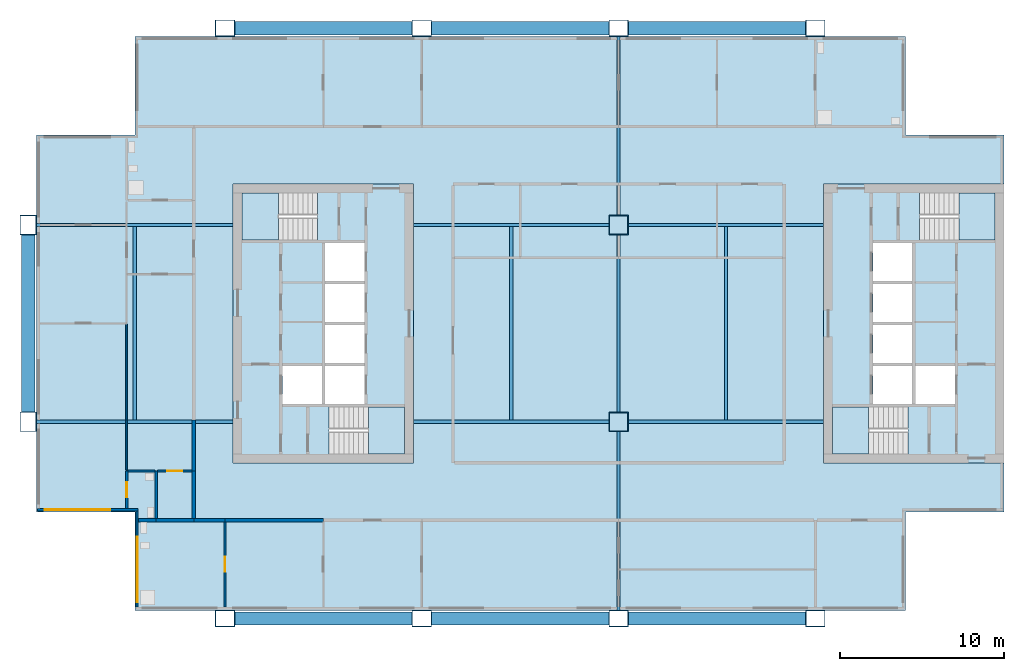
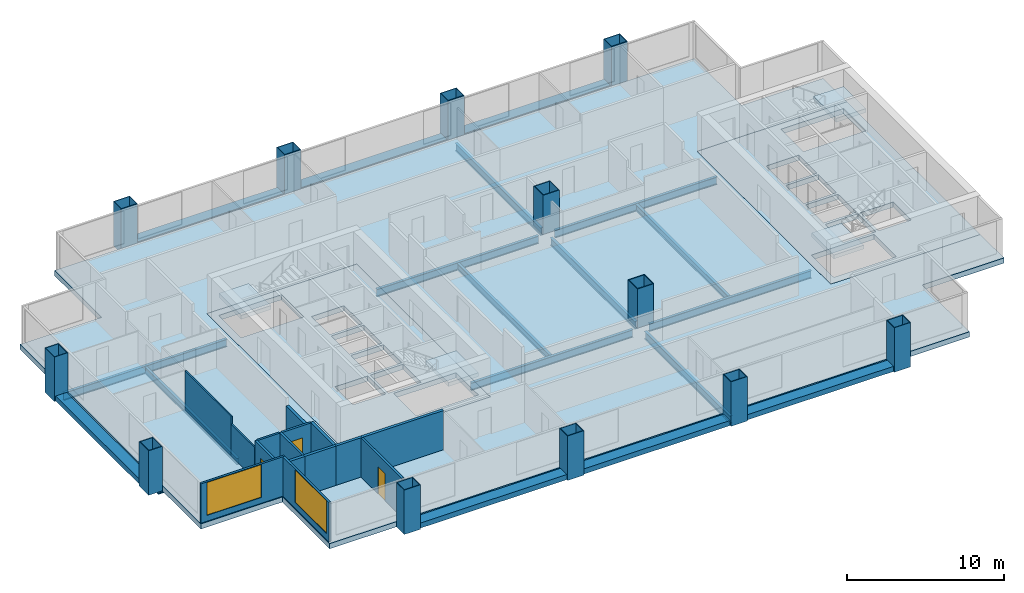
# One storey, part 1 of 8: 19 beams, 15 walls, 12 columns, 7 slabs, 3 doors, 2 windows, 5 openings, 4 elements without a shape of their own.
"""IFC4 building model written with IfcOpenShell, lengths in metres."""

import ifcopenshell
import ifcopenshell.guid

model = None  # the IFC model being written
_history = None  # IfcOwnerHistory: only IFC2X3 demands one
_inside = {}  # id of a spatial element -> (the spatial element, [elements in it])
_under = {}  # id of a project, library or spatial element -> (it, [spatial elements below it])
_declared = {}  # id of a project -> (the project, [libraries it declares])
_typed = {}  # id of a type object -> (the type object, [elements of that type])
_made_of = {}  # id of a material, layer set ... -> (it, [elements and type objects made of it])


def new_model(schema):
    """Start an empty IFC model of exactly this schema.

    Asked for "IFC4X3", IfcOpenShell would pick the latest addendum, in which some entities
    have other attributes; the version numbers below select the first issue.
    IFC2X3 requires an IfcOwnerHistory on every rooted entity: one is made here for all.
    """
    global model, _history
    if schema == "IFC4X3":
        model = ifcopenshell.file(schema_version=(4, 3, 0, 0))
    else:
        model = ifcopenshell.file(schema=schema)
    _inside.clear()
    _under.clear()
    _declared.clear()
    _typed.clear()
    _made_of.clear()
    _history = None
    if model.schema == "IFC2X3":
        org = make("IfcOrganization", Name="unknown")
        user = make(
            "IfcPersonAndOrganization",
            ThePerson=make("IfcPerson", FamilyName="unknown"),
            TheOrganization=org,
        )
        app = make(
            "IfcApplication",
            ApplicationDeveloper=org,
            Version="unknown",
            ApplicationFullName="unknown",
            ApplicationIdentifier="unknown",
        )
        _history = make(
            "IfcOwnerHistory",
            OwningUser=user,
            OwningApplication=app,
            ChangeAction="ADDED",
            CreationDate=0,
        )
    return model


def make(cls, **values):
    """One entity of the class cls with the attributes given. An attribute that is None is left unset."""
    return model.create_entity(
        cls, **{name: value for name, value in values.items() if value is not None}
    )


def rooted(cls, **values):
    """An entity with a GlobalId (a new one), such as an element, a storey or a relation."""
    return make(cls, GlobalId=ifcopenshell.guid.new(), OwnerHistory=_history, **values)


def si_unit(unit_type, name, prefix=None):
    """IfcSIUnit, for example si_unit("LENGTHUNIT", "METRE", prefix="MILLI")."""
    return make("IfcSIUnit", UnitType=unit_type, Prefix=prefix, Name=name)


def assignment(units):
    """IfcUnitAssignment: the units of a project."""
    return None if units is None else make("IfcUnitAssignment", Units=units)


def point(xyz):
    """IfcCartesianPoint."""
    return None if xyz is None else make("IfcCartesianPoint", Coordinates=xyz)


def direction(xyz):
    """IfcDirection."""
    return None if xyz is None else make("IfcDirection", DirectionRatios=xyz)


def frame(location, z_axis=None, x_axis=None):
    """IfcAxis2Placement3D, a coordinate frame: its origin and axes. An axis left out is left unset."""
    return make(
        "IfcAxis2Placement3D",
        Location=point(location),
        Axis=direction(z_axis),
        RefDirection=direction(x_axis),
    )


def frame_2d(location, x_axis=None):
    """IfcAxis2Placement2D, a coordinate frame in the plane: its origin and x axis."""
    return make(
        "IfcAxis2Placement2D", Location=point(location), RefDirection=direction(x_axis)
    )


def origin():
    """The frame at (0, 0, 0) with its axes left unset."""
    return frame((0.0, 0.0, 0.0))


def origin_2d():
    """The frame at (0, 0) in the plane with its x axis left unset."""
    return frame_2d((0.0, 0.0))


def place(relative_to, where):
    """IfcLocalPlacement: puts the frame where relative to a parent placement (None: the world)."""
    return make(
        "IfcLocalPlacement", PlacementRelTo=relative_to, RelativePlacement=where
    )


def context(
    kind, dimensions, precision=None, world=None, true_north=None, identifier=None
):
    """IfcGeometricRepresentationContext, for example the 3D "Model" context."""
    return make(
        "IfcGeometricRepresentationContext",
        ContextIdentifier=identifier,
        ContextType=kind,
        CoordinateSpaceDimension=dimensions,
        Precision=precision,
        WorldCoordinateSystem=world,
        TrueNorth=true_north,
    )


def subcontext(parent, identifier, kind, view, scale=None):
    """IfcGeometricRepresentationSubContext, for example "Body" below "Model"."""
    return make(
        "IfcGeometricRepresentationSubContext",
        ContextIdentifier=identifier,
        ContextType=kind,
        ParentContext=parent,
        TargetScale=scale,
        TargetView=view,
    )


def project(units=None, contexts=None):
    """IfcProject with its units and contexts."""
    return rooted(
        "IfcProject",
        Name="project",
        RepresentationContexts=contexts,
        UnitsInContext=assignment(units),
    )


def spatial(cls, under=None, at=None, **own):
    """A site, building, storey or space (cls), placed at a placement, below another one or the project."""
    s = rooted(cls, ObjectPlacement=at, **own)
    if under is not None:
        _under.setdefault(under.id(), (under, []))[1].append(s)
    return s


def polyline(points):
    """IfcPolyline through the points."""
    return make("IfcPolyline", Points=[point(p) for p in points])


def profile(cls, at=None, kind="AREA", **sizes):
    """A parametric profile (cls). Its sizes go by their IFC names, for example OverallWidth=200.0."""
    return make(cls, ProfileType=kind, Position=at, **sizes)


def rectangle(**sizes):
    """IfcRectangleProfileDef."""
    return profile("IfcRectangleProfileDef", **sizes)


def hollow_rectangle(**sizes):
    """IfcRectangleHollowProfileDef."""
    return profile("IfcRectangleHollowProfileDef", **sizes)


def i_section(**sizes):
    """IfcIShapeProfileDef."""
    return profile("IfcIShapeProfileDef", **sizes)


def outline(outer, holes=None, kind="AREA"):
    """IfcArbitraryClosedProfileDef: a profile drawn as a closed curve; with holes, ...WithVoids."""
    if holes is None:
        return make("IfcArbitraryClosedProfileDef", ProfileType=kind, OuterCurve=outer)
    return make(
        "IfcArbitraryProfileDefWithVoids",
        ProfileType=kind,
        OuterCurve=outer,
        InnerCurves=holes,
    )


def extrude(swept, where, along, depth):
    """IfcExtrudedAreaSolid: the profile swept, set in the frame where, extruded along a direction by depth."""
    return make(
        "IfcExtrudedAreaSolid",
        SweptArea=swept,
        Position=where,
        ExtrudedDirection=direction(along),
        Depth=depth,
    )


def shape(context_of_items, identifier, shape_type, items):
    """IfcShapeRepresentation: the items that make up one representation, for example the "Body"."""
    return make(
        "IfcShapeRepresentation",
        ContextOfItems=context_of_items,
        RepresentationIdentifier=identifier,
        RepresentationType=shape_type,
        Items=items,
    )


def material(Name=None, Category=None):
    """IfcMaterial."""
    return make("IfcMaterial", Name=Name, Category=Category)


def layer(
    of_material, thickness, ventilated=None, Name=None, Category=None, Priority=None
):
    """IfcMaterialLayer: one layer of a wall or slab, of a material (None: an air gap)."""
    return make(
        "IfcMaterialLayer",
        Material=of_material,
        LayerThickness=thickness,
        IsVentilated=ventilated,
        Name=Name,
        Category=Category,
        Priority=Priority,
    )


def layer_set(layers, Name=None):
    """IfcMaterialLayerSet."""
    return make("IfcMaterialLayerSet", MaterialLayers=layers, LayerSetName=Name)


def material_profile(
    of_material, cross_section, Name=None, Category=None, Priority=None
):
    """IfcMaterialProfile: a cross section and its material."""
    return make(
        "IfcMaterialProfile",
        Name=Name,
        Material=of_material,
        Profile=cross_section,
        Priority=Priority,
        Category=Category,
    )


def profile_set(profiles, Name=None, composite=None):
    """IfcMaterialProfileSet."""
    return make(
        "IfcMaterialProfileSet",
        Name=Name,
        MaterialProfiles=profiles,
        CompositeProfile=composite,
    )


def made_of(thing, what):
    """Note that an element or type object is made of a material, layer set ...; save() writes the relation."""
    if what is not None:
        _made_of.setdefault(what.id(), (what, []))[1].append(thing)
    return thing


def type_object(cls, material=None, **own):
    """A type object (cls), such as IfcWallType, which elements share."""
    return made_of(rooted(cls, **own), material)


def element(
    cls,
    number,
    at=None,
    inside=None,
    cuts=None,
    type_object=None,
    material=None,
    context=None,
    identifier="Body",
    shape_type=None,
    held_by="IfcProductDefinitionShape",
    body=None,
    shapes=None,
    **own,
):
    """One element of the class cls, such as IfcWall. Its Tag is "e" and its number.

    at: its placement. inside: the storey or other place that contains it. cuts: it is an
    opening in that element (IfcRelVoidsElement). A single representation is given by context,
    identifier, shape_type and body (its items); several are given by shapes. held_by: the class
    of the entity that holds the representations. save() writes the other relations.
    """
    e = rooted(cls, Tag="e%d" % number, ObjectPlacement=at, **own)
    if body is not None:
        shapes = [shape(context, identifier, shape_type, body)]
    if shapes is not None:
        e.Representation = make(held_by, Representations=shapes)
    if inside is not None:
        _inside.setdefault(inside.id(), (inside, []))[1].append(e)
    if cuts is not None:
        rooted(
            "IfcRelVoidsElement", RelatingBuildingElement=cuts, RelatedOpeningElement=e
        )
    if type_object is not None:
        _typed.setdefault(type_object.id(), (type_object, []))[1].append(e)
    return made_of(e, material)


def fill(opening, filler):
    """IfcRelFillsElement: the door or window that sits in an opening."""
    return rooted(
        "IfcRelFillsElement",
        RelatingOpeningElement=opening,
        RelatedBuildingElement=filler,
    )


def aggregate(whole, parts):
    """IfcRelAggregates: a whole, such as a stair, and the parts it consists of."""
    return rooted("IfcRelAggregates", RelatingObject=whole, RelatedObjects=parts)


def save(model, path):
    """Write the relations noted so far, then the file.

    IfcRelAggregates (storeys below a building ...), IfcRelContainedInSpatialStructure (elements
    in a storey), IfcRelDefinesByType, IfcRelAssociatesMaterial and IfcRelDeclares: one each for
    every whole, place, type object, material and project.
    """
    for whole, parts in _under.values():
        aggregate(whole, parts)
    for where, things in _inside.values():
        rooted(
            "IfcRelContainedInSpatialStructure",
            RelatedElements=things,
            RelatingStructure=where,
        )
    for kind, things in _typed.values():
        rooted("IfcRelDefinesByType", RelatedObjects=things, RelatingType=kind)
    for what, things in _made_of.values():
        rooted("IfcRelAssociatesMaterial", RelatedObjects=things, RelatingMaterial=what)
    for by, libraries in _declared.values():
        rooted("IfcRelDeclares", RelatingContext=by, RelatedDefinitions=libraries)
    model.write(path)


model = new_model("IFC4")

# Units and contexts
model_context = context("Model", 3, precision=1e-05, world=origin(), true_north=direction((0.0, 1.0)))
body_context = subcontext(model_context, "Body", "Model", "MODEL_VIEW")
ifc_project = project(units=[si_unit("LENGTHUNIT", "METRE"), si_unit("AREAUNIT", "SQUARE_METRE"), si_unit("VOLUMEUNIT", "CUBIC_METRE"), si_unit("PLANEANGLEUNIT", "RADIAN"), si_unit("MASSUNIT", "GRAM", prefix="KILO")], contexts=[model_context])

# Site, building, storey
site_placement = place(None, origin())
site = spatial("IfcSite", under=ifc_project, at=site_placement, CompositionType="ELEMENT")
building_placement = place(site_placement, origin())
building = spatial("IfcBuilding", under=site, at=building_placement, Name="Kitamizu Gate Tower and Museum", CompositionType="ELEMENT")
storey_placement = place(building_placement, frame((0.0, 0.0, 199.64990234375)))
storey = spatial("IfcBuildingStorey", under=building, at=storey_placement, Name="L53", CompositionType="ELEMENT", Elevation=199.64990234375)

# Columns
ifc_material_1 = material(Name="Steel SM490A bronze coated", Category="steel")
ifc_material_profile_1 = material_profile(ifc_material_1, hollow_rectangle(XDim=1.199951171875, YDim=1.0, WallThickness=0.044921875, at=origin_2d()), Name="BOX 1200x1000x45")
ifc_profile_set_1 = profile_set([ifc_material_profile_1], Name="Steel SM490A bronze coated")
column_type_1 = type_object("IfcColumnType", Name="Exoskeleton column XC7 BOX 1200x1000x45", PredefinedType="COLUMN", material=ifc_profile_set_1)
for number, where, z_axis, x_axis, name in (
    (1, (0.0, 24.0, -0.39990234375), (0.0, 0.0, 1.0), (0.0, 1.0, 0.0), "Column XC7 1C L53"),
    (2, (0.0, 36.0, -0.39990234375), (0.0, 0.0, 1.0), (0.0, 1.0, 0.0), "Column XC7 1D L53"),
    (3, (12.0, 12.0, -0.39990234375), (0.0, 0.0, 1.0), (1.0, 0.0, 0.0), "Column XC7 2B L53"),
    (4, (12.0, 48.0, -0.39990234375), (0.0, 0.0, 1.0), (1.0, 0.0, 0.0), "Column XC7 2E L53"),
    (5, (24.0, 12.0, -0.39990234375), (0.0, 0.0, 1.0), (1.0, 0.0, 0.0), "Column XC7 3B L53"),
    (6, (24.0, 48.0, -0.39990234375), (0.0, 0.0, 1.0), (1.0, 0.0, 0.0), "Column XC7 3E L53"),
    (7, (36.0, 12.0, -0.39990234375), (0.0, 0.0, 1.0), (1.0, 0.0, 0.0), "Column XC7 4B L53"),
    (8, (36.0, 48.0, -0.39990234375), (0.0, 0.0, 1.0), (1.0, 0.0, 0.0), "Column XC7 4E L53"),
    (9, (48.0, 12.0, -0.39990234375), (0.0, 0.0, 1.0), (1.0, 0.0, 0.0), "Column XC7 5B L53"),
    (10, (48.0, 48.0, -0.39990234375), (0.0, 0.0, 1.0), (1.0, 0.0, 0.0), "Column XC7 5E L53"),
):
    element("IfcColumn", number, at=place(storey_placement, frame(where, z_axis=z_axis, x_axis=x_axis)), inside=storey, type_object=column_type_1, Name=name, PredefinedType="COLUMN", context=body_context, shape_type="SweptSolid", body=[
        extrude(hollow_rectangle(XDim=1.199951171875, YDim=1.0, WallThickness=0.044921875, at=origin_2d()), origin(), (0.0, 0.0, 1.0), 3.449951171875),
    ])
ifc_material_2 = material(Name="Steel SM490A", Category="steel")
ifc_material_profile_2 = material_profile(ifc_material_2, hollow_rectangle(XDim=1.199951171875, YDim=1.199951171875, WallThickness=0.050048828125, at=origin_2d()), Name="BOX 1200x1200x50")
ifc_profile_set_2 = profile_set([ifc_material_profile_2], Name="Steel SM490A")
column_type_2 = type_object("IfcColumnType", Name="Interior column IC4 BOX 1200x1200x50", PredefinedType="COLUMN", material=ifc_profile_set_2)
for number, where, z_axis, x_axis, name in (
    (11, (36.0, 24.0, 0.0), (0.0, 0.0, 1.0), (1.0, 0.0, 0.0), "Column IC4 4C L53"),
    (12, (36.0, 36.0, 0.0), (0.0, 0.0, 1.0), (1.0, 0.0, 0.0), "Column IC4 4D L53"),
):
    element("IfcColumn", number, at=place(storey_placement, frame(where, z_axis=z_axis, x_axis=x_axis)), inside=storey, type_object=column_type_2, Name=name, PredefinedType="COLUMN", context=body_context, shape_type="SweptSolid", body=[
        extrude(hollow_rectangle(XDim=1.199951171875, YDim=1.199951171875, WallThickness=0.050048828125, at=origin_2d()), origin(), (0.0, 0.0, 1.0), 3.050048828125),
    ])

# Beams
ifc_material_3 = material(Name="Steel SM490A bronze coated", Category="steel")
ifc_material_profile_3 = material_profile(ifc_material_3, hollow_rectangle(XDim=0.800048828125, YDim=0.39990234375, WallThickness=0.0400390625, at=origin_2d()), Name="BOX 800x400x40")
ifc_profile_set_3 = profile_set([ifc_material_profile_3], Name="Steel SM490A bronze coated")
beam_type_1 = type_object("IfcBeamType", Name="Exoskeleton spandrel beam SB1 BOX 800x400x40", PredefinedType="SPANDREL", material=ifc_profile_set_3)
for number, where, z_axis, x_axis, name in (
    (13, (12.60009765625, 12.0, -0.199951171875), (1.0, 0.0, 0.0), (0.0, 1.0, 0.0), "Exoskeleton spandrel beam south 12 L53"),
    (14, (24.60009765625, 12.0, -0.199951171875), (1.0, 0.0, 0.0), (0.0, 1.0, 0.0), "Exoskeleton spandrel beam south 24 L53"),
    (15, (36.60009765625, 12.0, -0.199951171875), (1.0, 0.0, 0.0), (0.0, 1.0, 0.0), "Exoskeleton spandrel beam south 36 L53"),
    (16, (12.60009765625, 48.0, -0.199951171875), (1.0, 0.0, 0.0), (0.0, 1.0, 0.0), "Exoskeleton spandrel beam north 12 L53"),
    (17, (24.60009765625, 48.0, -0.199951171875), (1.0, 0.0, 0.0), (0.0, 1.0, 0.0), "Exoskeleton spandrel beam north 24 L53"),
    (18, (36.60009765625, 48.0, -0.199951171875), (1.0, 0.0, 0.0), (0.0, 1.0, 0.0), "Exoskeleton spandrel beam north 36 L53"),
    (19, (0.0, 24.60009765625, -0.199951171875), (0.0, 1.0, 0.0), (-1.0, 0.0, 0.0), "Exoskeleton spandrel beam west 24 L53"),
):
    element("IfcBeam", number, at=place(storey_placement, frame(where, z_axis=z_axis, x_axis=x_axis)), inside=storey, type_object=beam_type_1, Name=name, PredefinedType="SPANDREL", context=body_context, shape_type="SweptSolid", body=[
        extrude(hollow_rectangle(XDim=0.800048828125, YDim=0.39990234375, WallThickness=0.0400390625, at=origin_2d()), origin(), (0.0, 0.0, 1.0), 10.7998046875),
    ])
ifc_material_4 = material(Name="Steel SM490A", Category="steel")
ifc_material_profile_4 = material_profile(ifc_material_4, i_section(OverallWidth=0.199951171875, OverallDepth=0.5, WebThickness=0.010009765625, FlangeThickness=0.01611328125, FilletRadius=0.02001953125, at=origin_2d()), Name="H-500x200x10x16")
ifc_profile_set_4 = profile_set([ifc_material_profile_4], Name="Steel SM490A")
beam_type_2 = type_object("IfcBeamType", Name="Floor beam FB1 H 500x200x10x16", PredefinedType="BEAM", material=ifc_profile_set_4)
for number, where, z_axis, x_axis, name in (
    (20, (6.5, 24.10009765625, -0.64990234375), (0.0, 1.0, 0.0), (-1.0, 0.0, 0.0), "Floor beam FB1 L53-1"),
    (21, (29.449951171875, 24.10009765625, -0.64990234375), (0.0, 1.0, 0.0), (-1.0, 0.0, 0.0), "Floor beam FB1 L53-2"),
    (22, (42.550048828125, 24.10009765625, -0.64990234375), (0.0, 1.0, 0.0), (-1.0, 0.0, 0.0), "Floor beam FB1 L53-3"),
):
    element("IfcBeam", number, at=place(storey_placement, frame(where, z_axis=z_axis, x_axis=x_axis)), inside=storey, type_object=beam_type_2, Name=name, PredefinedType="BEAM", context=body_context, shape_type="SweptSolid", body=[
        extrude(i_section(OverallWidth=0.199951171875, OverallDepth=0.5, WebThickness=0.010009765625, FlangeThickness=0.01611328125, FilletRadius=0.02001953125, at=origin_2d()), origin(), (0.0, 0.0, 1.0), 11.7998046875),
    ])
ifc_material_5 = material(Name="Steel SM490A", Category="steel")
ifc_material_profile_5 = material_profile(ifc_material_5, i_section(OverallWidth=0.199951171875, OverallDepth=0.60009765625, WebThickness=0.010986328125, FlangeThickness=0.01708984375, FilletRadius=0.02197265625, at=origin_2d()), Name="H-600x200x11x17")
ifc_profile_set_5 = profile_set([ifc_material_profile_5], Name="Steel SM490A")
beam_type_3 = type_object("IfcBeamType", Name="Floor girder FG1 H 600x200x11x17", PredefinedType="BEAM", material=ifc_profile_set_5)
beam_1_placement = place(storey_placement, frame((36.0, 12.5, -0.699951171875), z_axis=(0.0, 1.0, 0.0), x_axis=(-1.0, 0.0, 0.0)))
element("IfcBeam", 23, at=beam_1_placement, inside=storey, type_object=beam_type_3, Name="Floor girder FG1 x36 L53", PredefinedType="BEAM", context=body_context, shape_type="SweptSolid", body=[
    extrude(i_section(OverallWidth=0.199951171875, OverallDepth=0.60009765625, WebThickness=0.010986328125, FlangeThickness=0.01708984375, FilletRadius=0.02197265625, at=origin_2d()), origin(), (0.0, 0.0, 1.0), 10.89990234375),
])
beam_2_placement = place(storey_placement, frame((36.0, 24.60009765625, -0.699951171875), z_axis=(0.0, 1.0, 0.0), x_axis=(-1.0, 0.0, 0.0)))
element("IfcBeam", 24, at=beam_2_placement, inside=storey, type_object=beam_type_3, Name="Floor girder FG1 x36 L53", PredefinedType="BEAM", context=body_context, shape_type="SweptSolid", body=[
    extrude(i_section(OverallWidth=0.199951171875, OverallDepth=0.60009765625, WebThickness=0.010986328125, FlangeThickness=0.01708984375, FilletRadius=0.02197265625, at=origin_2d()), origin(), (0.0, 0.0, 1.0), 10.7998046875),
])
beam_3_placement = place(storey_placement, frame((36.0, 36.60009765625, -0.699951171875), z_axis=(0.0, 1.0, 0.0), x_axis=(-1.0, 0.0, 0.0)))
element("IfcBeam", 25, at=beam_3_placement, inside=storey, type_object=beam_type_3, Name="Floor girder FG1 x36 L53", PredefinedType="BEAM", context=body_context, shape_type="SweptSolid", body=[
    extrude(i_section(OverallWidth=0.199951171875, OverallDepth=0.60009765625, WebThickness=0.010986328125, FlangeThickness=0.01708984375, FilletRadius=0.02197265625, at=origin_2d()), origin(), (0.0, 0.0, 1.0), 10.89990234375),
])
beam_4_placement = place(storey_placement, frame((0.5, 24.0, -0.699951171875), z_axis=(1.0, 0.0, 0.0), x_axis=(0.0, 1.0, 0.0)))
element("IfcBeam", 26, at=beam_4_placement, inside=storey, type_object=beam_type_3, Name="Floor girder FG1 y24 L53", PredefinedType="BEAM", context=body_context, shape_type="SweptSolid", body=[
    extrude(i_section(OverallWidth=0.199951171875, OverallDepth=0.60009765625, WebThickness=0.010986328125, FlangeThickness=0.01708984375, FilletRadius=0.02197265625, at=origin_2d()), origin(), (0.0, 0.0, 1.0), 12.0),
])
for number, where, z_axis, x_axis, name in (
    (27, (23.5, 24.0, -0.699951171875), (1.0, 0.0, 0.0), (0.0, 1.0, 0.0), "Floor girder FG1 y24 L53"),
    (28, (36.60009765625, 24.0, -0.699951171875), (1.0, 0.0, 0.0), (0.0, 1.0, 0.0), "Floor girder FG1 y24 L53"),
):
    element("IfcBeam", number, at=place(storey_placement, frame(where, z_axis=z_axis, x_axis=x_axis)), inside=storey, type_object=beam_type_3, Name=name, PredefinedType="BEAM", context=body_context, shape_type="SweptSolid", body=[
        extrude(i_section(OverallWidth=0.199951171875, OverallDepth=0.60009765625, WebThickness=0.010986328125, FlangeThickness=0.01708984375, FilletRadius=0.02197265625, at=origin_2d()), origin(), (0.0, 0.0, 1.0), 11.89990234375),
    ])
beam_5_placement = place(storey_placement, frame((0.5, 36.0, -0.699951171875), z_axis=(1.0, 0.0, 0.0), x_axis=(0.0, 1.0, 0.0)))
element("IfcBeam", 29, at=beam_5_placement, inside=storey, type_object=beam_type_3, Name="Floor girder FG1 y36 L53", PredefinedType="BEAM", context=body_context, shape_type="SweptSolid", body=[
    extrude(i_section(OverallWidth=0.199951171875, OverallDepth=0.60009765625, WebThickness=0.010986328125, FlangeThickness=0.01708984375, FilletRadius=0.02197265625, at=origin_2d()), origin(), (0.0, 0.0, 1.0), 12.0),
])
for number, where, z_axis, x_axis, name in (
    (30, (23.5, 36.0, -0.699951171875), (1.0, 0.0, 0.0), (0.0, 1.0, 0.0), "Floor girder FG1 y36 L53"),
    (31, (36.60009765625, 36.0, -0.699951171875), (1.0, 0.0, 0.0), (0.0, 1.0, 0.0), "Floor girder FG1 y36 L53"),
):
    element("IfcBeam", number, at=place(storey_placement, frame(where, z_axis=z_axis, x_axis=x_axis)), inside=storey, type_object=beam_type_3, Name=name, PredefinedType="BEAM", context=body_context, shape_type="SweptSolid", body=[
        extrude(i_section(OverallWidth=0.199951171875, OverallDepth=0.60009765625, WebThickness=0.010986328125, FlangeThickness=0.01708984375, FilletRadius=0.02197265625, at=origin_2d()), origin(), (0.0, 0.0, 1.0), 11.89990234375),
    ])

# Slabs
ifc_material_6 = material(Name="Concrete Fc36", Category="concrete")
ifc_layer_1 = layer(ifc_material_6, 0.39990234375)
ifc_layer_set_1 = layer_set([ifc_layer_1], Name="Concrete Fc36")
slab_type_1 = type_object("IfcSlabType", Name="Core floor slab 400", PredefinedType="FLOOR", material=ifc_layer_set_1)
slab_1_placement = place(storey_placement, frame((0.0, 0.0, -0.39990234375)))
element("IfcSlab", 32, at=slab_1_placement, inside=storey, type_object=slab_type_1, Name="Core floor slab W", PredefinedType="FLOOR", context=body_context, shape_type="SweptSolid", body=[
    extrude(outline(polyline([(12.5, 21.5), (23.5, 21.5), (23.5, 38.5), (12.5, 38.5), (12.5, 21.5)]), holes=[polyline([(15.5, 25.10009765625), (17.89990234375, 25.10009765625), (17.89990234375, 27.39990234375), (15.5, 27.39990234375), (15.5, 25.10009765625)]), polyline([(18.10009765625, 25.10009765625), (20.5, 25.10009765625), (20.5, 27.39990234375), (18.10009765625, 27.39990234375), (18.10009765625, 25.10009765625)]), polyline([(18.10009765625, 27.60009765625), (20.5, 27.60009765625), (20.5, 29.89990234375), (18.10009765625, 29.89990234375), (18.10009765625, 27.60009765625)]), polyline([(18.10009765625, 30.10009765625), (20.5, 30.10009765625), (20.5, 32.39990234375), (18.10009765625, 32.39990234375), (18.10009765625, 30.10009765625)]), polyline([(18.10009765625, 32.60009765625), (20.5, 32.60009765625), (20.5, 34.89990234375), (18.10009765625, 34.89990234375), (18.10009765625, 32.60009765625)]), polyline([(18.3505859375, 22.050048828125), (22.949951171875, 22.050048828125), (22.949951171875, 24.89990234375), (18.3505859375, 24.89990234375), (18.3505859375, 22.050048828125)]), polyline([(13.050048828125, 35.10009765625), (17.6494140625, 35.10009765625), (17.6494140625, 37.949951171875), (13.050048828125, 37.949951171875), (13.050048828125, 35.10009765625)])]), origin(), (0.0, 0.0, 1.0), 0.39990234375),
])
slab_2_placement = place(storey_placement, frame((0.0, 0.0, -0.39990234375)))
element("IfcSlab", 33, at=slab_2_placement, inside=storey, type_object=slab_type_1, Name="Core floor slab E", PredefinedType="FLOOR", context=body_context, shape_type="SweptSolid", body=[
    extrude(outline(polyline([(48.5, 21.5), (59.5, 21.5), (59.5, 38.5), (48.5, 38.5), (48.5, 21.5)]), holes=[polyline([(54.10009765625, 25.10009765625), (56.5, 25.10009765625), (56.5, 27.39990234375), (54.10009765625, 27.39990234375), (54.10009765625, 25.10009765625)]), polyline([(51.5, 25.10009765625), (53.89990234375, 25.10009765625), (53.89990234375, 27.39990234375), (51.5, 27.39990234375), (51.5, 25.10009765625)]), polyline([(51.5, 27.60009765625), (53.89990234375, 27.60009765625), (53.89990234375, 29.89990234375), (51.5, 29.89990234375), (51.5, 27.60009765625)]), polyline([(51.5, 30.10009765625), (53.89990234375, 30.10009765625), (53.89990234375, 32.39990234375), (51.5, 32.39990234375), (51.5, 30.10009765625)]), polyline([(51.5, 32.60009765625), (53.89990234375, 32.60009765625), (53.89990234375, 34.89990234375), (51.5, 34.89990234375), (51.5, 32.60009765625)]), polyline([(49.050048828125, 22.050048828125), (53.6494140625, 22.050048828125), (53.6494140625, 24.89990234375), (49.050048828125, 24.89990234375), (49.050048828125, 22.050048828125)]), polyline([(54.3505859375, 35.10009765625), (58.949951171875, 35.10009765625), (58.949951171875, 37.949951171875), (54.3505859375, 37.949951171875), (54.3505859375, 35.10009765625)])]), origin(), (0.0, 0.0, 1.0), 0.39990234375),
])
ifc_material_7 = material(Name="Concrete Fc36", Category="concrete")
ifc_layer_2 = layer(ifc_material_7, 0.39990234375)
ifc_layer_set_2 = layer_set([ifc_layer_2], Name="Concrete Fc36")
slab_type_2 = type_object("IfcSlabType", Name="Post tensioned flat slab 400", PredefinedType="FLOOR", material=ifc_layer_set_2)
slab_3_placement = place(storey_placement, frame((0.0, 0.0, -0.39990234375)))
element("IfcSlab", 34, at=slab_3_placement, inside=storey, type_object=slab_type_2, Name="Floor slab L53-1", PredefinedType="FLOOR", context=body_context, shape_type="SweptSolid", body=[
    extrude(outline(polyline([(0.5, 18.5), (0.5, 41.5), (6.5, 41.5), (6.5, 47.5), (53.5, 47.5), (53.5, 41.5), (59.5, 41.5), (59.5, 38.5), (48.5, 38.5), (48.5, 21.5), (59.5, 21.5), (59.5, 18.5), (53.5, 18.5), (53.5, 12.5), (6.5, 12.5), (6.5, 18.5), (0.5, 18.5)]), holes=[polyline([(12.5, 38.5), (12.5, 21.5), (23.5, 21.5), (23.5, 38.5), (12.5, 38.5)])]), origin(), (0.0, 0.0, 1.0), 0.39990234375),
])

# Stair, slab
ifc_material_8 = material(Name="Concrete Fc42", Category="concrete")
stair_type = type_object("IfcStairType", Name="Exit stair 1325 wide 192 rise 300 going", PredefinedType="HALF_TURN_STAIR", material=ifc_material_8)
stair_1_placement = place(storey_placement, origin())
stair_1 = element("IfcStair", 35, at=stair_1_placement, inside=storey, type_object=stair_type, Name="Exit stair ST1", PredefinedType="HALF_TURN_STAIR")
ifc_material_9 = material(Name="Concrete Fc42", Category="concrete")
ifc_layer_3 = layer(ifc_material_9, 0.300048828125)
ifc_layer_set_3 = layer_set([ifc_layer_3], Name="Concrete Fc42")
slab_type_3 = type_object("IfcSlabType", Name="Stair landing 300", PredefinedType="LANDING", material=ifc_layer_set_3)
slab_4_placement = place(storey_placement, frame((0.0, 0.0, 1.425048828125)))
slab_4 = element("IfcSlab", 36, at=slab_4_placement, type_object=slab_type_3, Name="ST1 landing 1", PredefinedType="LANDING", context=body_context, shape_type="SweptSolid", body=[
    extrude(outline(polyline([(20.75, 22.050048828125), (22.949951171875, 22.050048828125), (22.949951171875, 24.89990234375), (20.75, 24.89990234375), (20.75, 22.050048828125)])), origin(), (0.0, 0.0, 1.0), 0.300048828125),
])
aggregate(stair_1, [slab_4])

stair_2_placement = place(storey_placement, origin())
stair_2 = element("IfcStair", 37, at=stair_2_placement, inside=storey, type_object=stair_type, Name="Exit stair ST2", PredefinedType="HALF_TURN_STAIR")
slab_5_placement = place(storey_placement, frame((0.0, 0.0, 1.425048828125)))
slab_5 = element("IfcSlab", 38, at=slab_5_placement, type_object=slab_type_3, Name="ST2 landing 1", PredefinedType="LANDING", context=body_context, shape_type="SweptSolid", body=[
    extrude(outline(polyline([(13.050048828125, 35.10009765625), (15.25, 35.10009765625), (15.25, 37.949951171875), (13.050048828125, 37.949951171875), (13.050048828125, 35.10009765625)])), origin(), (0.0, 0.0, 1.0), 0.300048828125),
])
aggregate(stair_2, [slab_5])

stair_3_placement = place(storey_placement, origin())
stair_3 = element("IfcStair", 39, at=stair_3_placement, inside=storey, type_object=stair_type, Name="Exit stair ST3", PredefinedType="HALF_TURN_STAIR")
slab_6_placement = place(storey_placement, frame((0.0, 0.0, 1.425048828125)))
slab_6 = element("IfcSlab", 40, at=slab_6_placement, type_object=slab_type_3, Name="ST3 landing 1", PredefinedType="LANDING", context=body_context, shape_type="SweptSolid", body=[
    extrude(outline(polyline([(49.050048828125, 22.050048828125), (51.25, 22.050048828125), (51.25, 24.89990234375), (49.050048828125, 24.89990234375), (49.050048828125, 22.050048828125)])), origin(), (0.0, 0.0, 1.0), 0.300048828125),
])
aggregate(stair_3, [slab_6])

stair_4_placement = place(storey_placement, origin())
stair_4 = element("IfcStair", 41, at=stair_4_placement, inside=storey, type_object=stair_type, Name="Exit stair ST4", PredefinedType="HALF_TURN_STAIR")
slab_7_placement = place(storey_placement, frame((0.0, 0.0, 1.425048828125)))
slab_7 = element("IfcSlab", 42, at=slab_7_placement, type_object=slab_type_3, Name="ST4 landing 1", PredefinedType="LANDING", context=body_context, shape_type="SweptSolid", body=[
    extrude(outline(polyline([(56.75, 35.10009765625), (58.949951171875, 35.10009765625), (58.949951171875, 37.949951171875), (56.75, 37.949951171875), (56.75, 35.10009765625)])), origin(), (0.0, 0.0, 1.0), 0.300048828125),
])
aggregate(stair_4, [slab_7])

# Walls
ifc_material_10 = material(Name="Gypsum board on galvanised stud")
ifc_layer_4 = layer(ifc_material_10, 0.10009765625)
ifc_layer_set_4 = layer_set([ifc_layer_4], Name="Gypsum board on galvanised stud")
wall_type_1 = type_object("IfcWallType", Name="Partition 100 NOT RATED", PredefinedType="PARTITIONING", material=ifc_layer_set_4)
wall_1_placement = place(storey_placement, frame((6.0, 21.074951171875, 0.0), z_axis=(0.0, 0.0, 1.0), x_axis=(0.0, 1.0, 0.0)))
element("IfcWall", 43, at=wall_1_placement, inside=storey, type_object=wall_type_1, Name="Partition L53-031", PredefinedType="PARTITIONING", context=body_context, shape_type="SweptSolid", body=[
    extrude(rectangle(XDim=3.025146484375, YDim=0.10009765625, at=frame_2d((1.5126953125, 0.0))), origin(), (0.0, 0.0, 1.0), 2.4501953125),
])
wall_2_placement = place(storey_placement, frame((6.0, 24.10009765625, 0.0), z_axis=(0.0, 0.0, 1.0), x_axis=(0.0, 1.0, 0.0)))
element("IfcWall", 44, at=wall_2_placement, inside=storey, type_object=wall_type_1, Name="Partition L53-032", PredefinedType="PARTITIONING", context=body_context, shape_type="SweptSolid", body=[
    extrude(rectangle(XDim=5.849853515625, YDim=0.10009765625, at=frame_2d((2.9248046875, 0.0))), origin(), (0.0, 0.0, 1.0), 3.050048828125),
])

# Wall, opening, door
ifc_material_11 = material(Name="Gypsum board on galvanised stud")
ifc_layer_5 = layer(ifc_material_11, 0.14990234375)
ifc_layer_set_5 = layer_set([ifc_layer_5], Name="Gypsum board on galvanised stud")
wall_type_2 = type_object("IfcWallType", Name="Partition 150", PredefinedType="PARTITIONING", material=ifc_layer_set_5)
wall_3_placement = place(storey_placement, frame((12.0, 12.719970703125, 0.0), z_axis=(0.0, 0.0, 1.0), x_axis=(0.0, 1.0, 0.0)))
wall_3 = element("IfcWall", 45, at=wall_3_placement, inside=storey, type_object=wall_type_2, Name="Partition L53-001", PredefinedType="PARTITIONING", context=body_context, shape_type="SweptSolid", body=[
    extrude(rectangle(XDim=5.179931640625, YDim=0.14990234375, at=frame_2d((2.58984375, 0.0))), origin(), (0.0, 0.0, 1.0), 3.050048828125),
])
opening_1_placement = place(wall_3_placement, frame((2.139892578125, 0.0, 0.0)))
opening_1 = element("IfcOpeningElement", 46, at=opening_1_placement, cuts=wall_3, Name="Opening L53-006", PredefinedType="OPENING", context=body_context, shape_type="SweptSolid", body=[
    extrude(rectangle(XDim=0.89990234375, YDim=2.10009765625, at=frame_2d((0.449951171875, 1.050048828125))), frame((0.0, 0.0849609375, 0.0), z_axis=(0.0, -1.0, 0.0), x_axis=(1.0, 0.0, 0.0)), (0.0, 0.0, 1.0), 0.169921875),
])
ifc_material_12 = material(Name="Timber door set", Category="wood")
door_type = type_object("IfcDoorType", Name="Bathroom door 900", OperationType="NOTDEFINED", PredefinedType="DOOR", material=ifc_material_12)
door_1_placement = place(opening_1_placement, origin())
door_1 = element("IfcDoor", 47, at=door_1_placement, inside=storey, type_object=door_type, Name="Bathroom door L53-006", OperationType="SINGLE_SWING_LEFT", OverallHeight=2.10009765625, OverallWidth=0.89990234375, PredefinedType="DOOR", context=body_context, shape_type="SweptSolid", body=[
    extrude(rectangle(XDim=0.89990234375, YDim=2.10009765625, at=frame_2d((0.449951171875, 1.050048828125))), frame((0.0, 0.02490234375, 0.0), z_axis=(0.0, -1.0, 0.0), x_axis=(1.0, 0.0, 0.0)), (0.0, 0.0, 1.0), 0.050048828125),
])
fill(opening_1, door_1)

wall_4_placement = place(storey_placement, frame((6.0, 18.719970703125, 0.0), z_axis=(0.0, 0.0, 1.0), x_axis=(0.0, 1.0, 0.0)))
wall_4 = element("IfcWall", 48, at=wall_4_placement, inside=storey, type_object=wall_type_2, Name="Partition L53-030", PredefinedType="PARTITIONING", context=body_context, shape_type="SweptSolid", body=[
    extrude(rectangle(XDim=2.280029296875, YDim=0.14990234375, at=frame_2d((1.14013671875, 0.0))), origin(), (0.0, 0.0, 1.0), 3.050048828125),
])
opening_2_placement = place(wall_4_placement, frame((0.68994140625, 0.0, 0.0)))
opening_2 = element("IfcOpeningElement", 49, at=opening_2_placement, cuts=wall_4, Name="Opening L53-019", PredefinedType="OPENING", context=body_context, shape_type="SweptSolid", body=[
    extrude(rectangle(XDim=0.89990234375, YDim=2.10009765625, at=frame_2d((0.449951171875, 1.050048828125))), frame((0.0, 0.0849609375, 0.0), z_axis=(0.0, -1.0, 0.0), x_axis=(1.0, 0.0, 0.0)), (0.0, 0.0, 1.0), 0.169921875),
])
door_2_placement = place(opening_2_placement, frame((0.89990234375, 0.0, 0.0), x_axis=(-1.0, 0.0, 0.0)))
door_2 = element("IfcDoor", 50, at=door_2_placement, inside=storey, type_object=door_type, Name="Bathroom door L53-019", OperationType="SINGLE_SWING_LEFT", OverallHeight=2.10009765625, OverallWidth=0.89990234375, PredefinedType="DOOR", context=body_context, shape_type="SweptSolid", body=[
    extrude(rectangle(XDim=0.89990234375, YDim=2.10009765625, at=frame_2d((0.449951171875, 1.050048828125))), frame((0.0, 0.02490234375, 0.0), z_axis=(0.0, -1.0, 0.0), x_axis=(1.0, 0.0, 0.0)), (0.0, 0.0, 1.0), 0.050048828125),
])
fill(opening_2, door_2)

# Walls
wall_5_placement = place(storey_placement, frame((7.800048828125, 18.10009765625, 0.0), z_axis=(0.0, 0.0, 1.0), x_axis=(0.0, 1.0, 0.0)))
element("IfcWall", 51, at=wall_5_placement, inside=storey, type_object=wall_type_2, Name="Partition L53-038", PredefinedType="PARTITIONING", context=body_context, shape_type="SweptSolid", body=[
    extrude(rectangle(XDim=2.89990234375, YDim=0.14990234375, at=frame_2d((1.449951171875, 0.0))), origin(), (0.0, 0.0, 1.0), 3.050048828125),
])
wall_6_placement = place(storey_placement, frame((7.72509765625, 21.0, 0.0), z_axis=(0.0, 0.0, 1.0), x_axis=(-1.0, 0.0, 0.0)))
element("IfcWall", 52, at=wall_6_placement, inside=storey, type_object=wall_type_2, Name="Partition L53-039", PredefinedType="PARTITIONING", context=body_context, shape_type="SweptSolid", body=[
    extrude(rectangle(XDim=1.650146484375, YDim=0.14990234375, at=frame_2d((0.8251953125, 0.0))), origin(), (0.0, 0.0, 1.0), 3.050048828125),
])

# Wall, opening, door
wall_7_placement = place(storey_placement, frame((10.0, 21.0, 0.0), z_axis=(0.0, 0.0, 1.0), x_axis=(-1.0, 0.0, 0.0)))
wall_7 = element("IfcWall", 53, at=wall_7_placement, inside=storey, type_object=wall_type_2, Name="Partition L53-040", PredefinedType="PARTITIONING", context=body_context, shape_type="SweptSolid", body=[
    extrude(rectangle(XDim=2.125, YDim=0.14990234375, at=frame_2d((1.0625, 0.0))), origin(), (0.0, 0.0, 1.0), 3.050048828125),
])
opening_3_placement = place(wall_7_placement, frame((0.612548828125, 0.0, 0.0)))
opening_3 = element("IfcOpeningElement", 54, at=opening_3_placement, cuts=wall_7, Name="Opening L53-020", PredefinedType="OPENING", context=body_context, shape_type="SweptSolid", body=[
    extrude(rectangle(XDim=0.89990234375, YDim=2.10009765625, at=frame_2d((0.449951171875, 1.050048828125))), frame((0.0, 0.0849609375, 0.0), z_axis=(0.0, -1.0, 0.0), x_axis=(1.0, 0.0, 0.0)), (0.0, 0.0, 1.0), 0.169921875),
])
door_3_placement = place(opening_3_placement, origin())
door_3 = element("IfcDoor", 55, at=door_3_placement, inside=storey, type_object=door_type, Name="Bathroom door L53-020", OperationType="SINGLE_SWING_LEFT", OverallHeight=2.10009765625, OverallWidth=0.89990234375, PredefinedType="DOOR", context=body_context, shape_type="SweptSolid", body=[
    extrude(rectangle(XDim=0.89990234375, YDim=2.10009765625, at=frame_2d((0.449951171875, 1.050048828125))), frame((0.0, 0.02490234375, 0.0), z_axis=(0.0, -1.0, 0.0), x_axis=(1.0, 0.0, 0.0)), (0.0, 0.0, 1.0), 0.050048828125),
])
fill(opening_3, door_3)

# Walls
ifc_material_13 = material(Name="Gypsum board on galvanised stud")
ifc_layer_6 = layer(ifc_material_13, 0.199951171875)
ifc_layer_set_6 = layer_set([ifc_layer_6], Name="Gypsum board on galvanised stud")
wall_type_3 = type_object("IfcWallType", Name="Partition 200", PredefinedType="PARTITIONING", material=ifc_layer_set_6)
wall_8_placement = place(storey_placement, frame((7.800048828125, 18.0, 0.0), z_axis=(0.0, 0.0, 1.0), x_axis=(-1.0, 0.0, 0.0)))
element("IfcWall", 56, at=wall_8_placement, inside=storey, type_object=wall_type_3, Name="Partition L53-002", PredefinedType="PARTITIONING", context=body_context, shape_type="SweptSolid", body=[
    extrude(rectangle(XDim=1.080078125, YDim=0.199951171875, at=frame_2d((0.5400390625, 0.0))), origin(), (0.0, 0.0, 1.0), 3.050048828125),
])
wall_9_placement = place(storey_placement, frame((10.10009765625, 18.0, 0.0), z_axis=(0.0, 0.0, 1.0), x_axis=(-1.0, 0.0, 0.0)))
element("IfcWall", 57, at=wall_9_placement, inside=storey, type_object=wall_type_3, Name="Partition L53-003", PredefinedType="PARTITIONING", context=body_context, shape_type="SweptSolid", body=[
    extrude(rectangle(XDim=2.300048828125, YDim=0.199951171875, at=frame_2d((1.14990234375, 0.0))), origin(), (0.0, 0.0, 1.0), 3.050048828125),
])
wall_10_placement = place(storey_placement, frame((12.0, 18.0, 0.0), z_axis=(0.0, 0.0, 1.0), x_axis=(-1.0, 0.0, 0.0)))
element("IfcWall", 58, at=wall_10_placement, inside=storey, type_object=wall_type_3, Name="Partition L53-004", PredefinedType="PARTITIONING", context=body_context, shape_type="SweptSolid", body=[
    extrude(rectangle(XDim=1.89990234375, YDim=0.199951171875, at=frame_2d((0.949951171875, 0.0))), origin(), (0.0, 0.0, 1.0), 3.050048828125),
])
wall_11_placement = place(storey_placement, frame((18.0, 18.0, 0.0), z_axis=(0.0, 0.0, 1.0), x_axis=(-1.0, 0.0, 0.0)))
element("IfcWall", 59, at=wall_11_placement, inside=storey, type_object=wall_type_3, Name="Partition L53-006", PredefinedType="PARTITIONING", context=body_context, shape_type="SweptSolid", body=[
    extrude(rectangle(XDim=6.0, YDim=0.199951171875, at=frame_2d((3.0, 0.0))), origin(), (0.0, 0.0, 1.0), 3.050048828125),
])
wall_12_placement = place(storey_placement, frame((10.10009765625, 18.10009765625, 0.0), z_axis=(0.0, 0.0, 1.0), x_axis=(0.0, 1.0, 0.0)))
element("IfcWall", 60, at=wall_12_placement, inside=storey, type_object=wall_type_3, Name="Partition L53-041", PredefinedType="PARTITIONING", context=body_context, shape_type="SweptSolid", body=[
    extrude(rectangle(XDim=2.89990234375, YDim=0.199951171875, at=frame_2d((1.449951171875, 0.0))), origin(), (0.0, 0.0, 1.0), 3.050048828125),
])
wall_13_placement = place(storey_placement, frame((10.10009765625, 21.0, 0.0), z_axis=(0.0, 0.0, 1.0), x_axis=(0.0, 1.0, 0.0)))
element("IfcWall", 61, at=wall_13_placement, inside=storey, type_object=wall_type_3, Name="Partition L53-043", PredefinedType="PARTITIONING", context=body_context, shape_type="SweptSolid", body=[
    extrude(rectangle(XDim=3.10009765625, YDim=0.199951171875, at=frame_2d((1.550048828125, 0.0))), origin(), (0.0, 0.0, 1.0), 2.4501953125),
])

# Wall, opening, window
ifc_material_14 = material(Name="Bronze anodised aluminium frame with insulated spandrel and tinted glass", Category="aluminium")
ifc_layer_7 = layer(ifc_material_14, 0.14990234375)
ifc_layer_set_7 = layer_set([ifc_layer_7], Name="Bronze anodised aluminium frame with insulated spandrel and tinted glass")
wall_type_4 = type_object("IfcWallType", Name="WINDOW WALL 150 BRONZE FRAME EI 30", PredefinedType="ELEMENTEDWALL", material=ifc_layer_set_7)
wall_14_placement = place(storey_placement, frame((0.56005859375, 18.635009765625, 0.0), z_axis=(0.0, 0.0, 1.0), x_axis=(1.0, 0.0, 0.0)))
wall_14 = element("IfcWall", 62, at=wall_14_placement, inside=storey, type_object=wall_type_4, Name="Window wall south L53", PredefinedType="ELEMENTEDWALL", context=body_context, shape_type="SweptSolid", body=[
    extrude(rectangle(XDim=6.14990234375, YDim=0.14990234375, at=frame_2d((3.074951171875, 0.0))), origin(), (0.0, 0.0, 1.0), 3.050048828125),
])
opening_4_placement = place(wall_14_placement, frame((0.43994140625, 0.0, 0.449951171875)))
opening_4 = element("IfcOpeningElement", 63, at=opening_4_placement, cuts=wall_14, Name="Opening W16", PredefinedType="OPENING", context=body_context, shape_type="SweptSolid", body=[
    extrude(rectangle(XDim=4.0, YDim=2.550048828125, at=frame_2d((2.0, 1.27490234375))), frame((0.0, 0.0849609375, 0.0), z_axis=(0.0, -1.0, 0.0), x_axis=(1.0, 0.0, 0.0)), (0.0, 0.0, 1.0), 0.169921875),
])
ifc_material_15 = material(Name="Bronze anodised aluminium frame, tinted triple glazing", Category="aluminium")
window_type = type_object("IfcWindowType", Name="WINDOW 4000 x 2550 SILL 450", PartitioningType="SINGLE_PANEL", PredefinedType="WINDOW", material=ifc_material_15)
window_1_placement = place(opening_4_placement, origin())
window_1 = element("IfcWindow", 64, at=window_1_placement, inside=storey, type_object=window_type, Name="Window W16 L53", OverallHeight=2.550048828125, OverallWidth=4.0, PartitioningType="SINGLE_PANEL", PredefinedType="WINDOW", context=body_context, shape_type="SweptSolid", body=[
    extrude(rectangle(XDim=4.0, YDim=2.550048828125, at=frame_2d((2.0, 1.27490234375))), frame((0.0, 0.030029296875, 0.0), z_axis=(0.0, -1.0, 0.0), x_axis=(1.0, 0.0, 0.0)), (0.0, 0.0, 1.0), 0.06005859375),
])
fill(opening_4, window_1)

wall_15_placement = place(storey_placement, frame((6.635009765625, 12.7099609375, 0.0), z_axis=(0.0, 0.0, 1.0), x_axis=(0.0, 1.0, 0.0)))
wall_15 = element("IfcWall", 65, at=wall_15_placement, inside=storey, type_object=wall_type_4, Name="Window wall west L53", PredefinedType="ELEMENTEDWALL", context=body_context, shape_type="SweptSolid", body=[
    extrude(rectangle(XDim=5.85009765625, YDim=0.14990234375, at=frame_2d((2.925048828125, 0.0))), origin(), (0.0, 0.0, 1.0), 3.050048828125),
])
opening_5_placement = place(wall_15_placement, frame((0.2900390625, 0.0, 0.449951171875)))
opening_5 = element("IfcOpeningElement", 66, at=opening_5_placement, cuts=wall_15, Name="Opening W16", PredefinedType="OPENING", context=body_context, shape_type="SweptSolid", body=[
    extrude(rectangle(XDim=4.0, YDim=2.550048828125, at=frame_2d((2.0, 1.27490234375))), frame((0.0, 0.0849609375, 0.0), z_axis=(0.0, -1.0, 0.0), x_axis=(1.0, 0.0, 0.0)), (0.0, 0.0, 1.0), 0.169921875),
])
window_2_placement = place(opening_5_placement, origin())
window_2 = element("IfcWindow", 67, at=window_2_placement, inside=storey, type_object=window_type, Name="Window W16 L53", OverallHeight=2.550048828125, OverallWidth=4.0, PartitioningType="SINGLE_PANEL", PredefinedType="WINDOW", context=body_context, shape_type="SweptSolid", body=[
    extrude(rectangle(XDim=4.0, YDim=2.550048828125, at=frame_2d((2.0, 1.27490234375))), frame((0.0, 0.030029296875, 0.0), z_axis=(0.0, -1.0, 0.0), x_axis=(1.0, 0.0, 0.0)), (0.0, 0.0, 1.0), 0.06005859375),
])
fill(opening_5, window_2)

save(model, "model.ifc")
